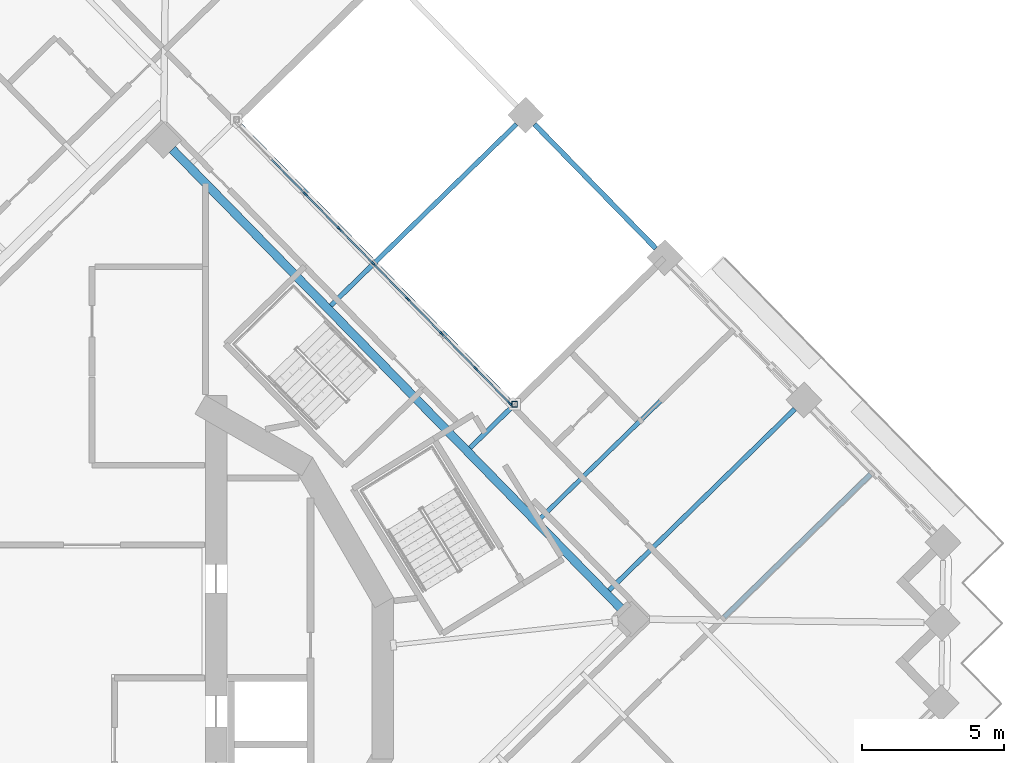
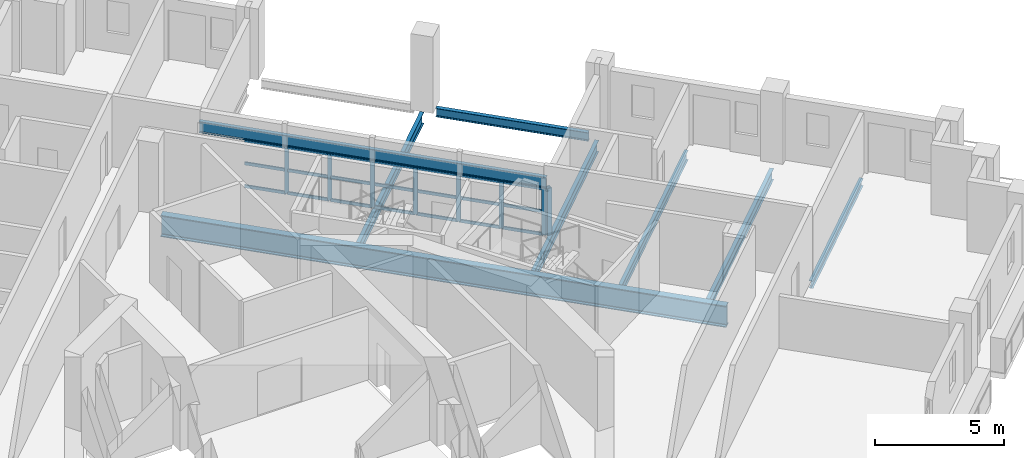
# One storey, part 3 of 20: 29 members, 8 beams, 1 element without a shape of its own.
"""IFC4 building model written with IfcOpenShell, lengths in metres."""

from ifc_helpers import new_model, si_unit, direction, frame, origin, origin_2d, place, context, subcontext, project, spatial, rectangle, hollow_rectangle, i_section, extrude, material, material_profile, profile_set, type_object, element, aggregate, save


model = new_model("IFC4")

# Units and contexts
model_context = context("Model", 3, precision=1e-05, world=origin(), true_north=direction((0.0, 1.0)))
body_context = subcontext(model_context, "Body", "Model", "MODEL_VIEW")
ifc_project = project(units=[si_unit("LENGTHUNIT", "METRE"), si_unit("AREAUNIT", "SQUARE_METRE"), si_unit("VOLUMEUNIT", "CUBIC_METRE"), si_unit("PLANEANGLEUNIT", "RADIAN"), si_unit("MASSUNIT", "GRAM", prefix="KILO")], contexts=[model_context])

# Site, building, storey
site_placement = place(None, origin())
site = spatial("IfcSite", under=ifc_project, at=site_placement, CompositionType="ELEMENT")
building_placement = place(site_placement, origin())
building = spatial("IfcBuilding", under=site, at=building_placement, Name="Cantera Rosa Tower", CompositionType="ELEMENT")
storey_placement = place(building_placement, frame((0.0, 0.0, 212.60009765625)))
storey = spatial("IfcBuildingStorey", under=building, at=storey_placement, Name="L45", CompositionType="ELEMENT", Elevation=212.60009765625)

# Curtain wall, members
ifc_material_1 = material(Name="Aluminium frame with clear glass", Category="aluminium")
curtain_wall_type = type_object("IfcCurtainWallType", Name="CW1 TERRACE POCKET GLAZING", PredefinedType="NOTDEFINED", material=ifc_material_1)
curtain_wall_placement = place(storey_placement, origin())
curtain_wall = element("IfcCurtainWall", 1, at=curtain_wall_placement, inside=storey, type_object=curtain_wall_type, Name="CW1 CW1", PredefinedType="NOTDEFINED")
ifc_material_2 = material(Name="Anodised bronze aluminium", Category="aluminium")
ifc_material_profile_1 = material_profile(ifc_material_2, rectangle(XDim=0.06005859375, YDim=0.179931640625, at=origin_2d()), Name="CW-MULLION 60x180 POCKET")
ifc_profile_set_1 = profile_set([ifc_material_profile_1], Name="Anodised bronze aluminium")
member_type_1 = type_object("IfcMemberType", Name="CW-MULLION 60x180 POCKET", PredefinedType="MULLION", material=ifc_profile_set_1)
member_1_placement = place(storey_placement, frame((14.718994140625, 9.68994140625, 0.0), z_axis=(0.0, 0.0, 1.0), x_axis=(-0.715286291058, -0.698831540376, 0.0)))
member_1 = element("IfcMember", 2, at=member_1_placement, type_object=member_type_1, Name="CW1 mullion 1", PredefinedType="MULLION", context=body_context, shape_type="SweptSolid", body=[
    extrude(rectangle(XDim=0.06005859375, YDim=0.179931640625, at=origin_2d()), origin(), (0.0, 0.0, 1.0), 2.2119140625),
])
member_2_placement = place(storey_placement, frame((13.535400390625, 10.901611328125, 0.0), z_axis=(0.0, 0.0, 1.0), x_axis=(-0.715286291058, -0.698831540376, 0.0)))
member_2 = element("IfcMember", 3, at=member_2_placement, type_object=member_type_1, Name="CW1 mullion 2", PredefinedType="MULLION", context=body_context, shape_type="SweptSolid", body=[
    extrude(rectangle(XDim=0.06005859375, YDim=0.179931640625, at=origin_2d()), origin(), (0.0, 0.0, 1.0), 2.2119140625),
])
member_3_placement = place(storey_placement, frame((12.330810546875, 12.134521484375, 0.0), z_axis=(0.0, 0.0, 1.0), x_axis=(-0.715286291058, -0.698831540376, 0.0)))
member_3 = element("IfcMember", 4, at=member_3_placement, type_object=member_type_1, Name="CW1 mullion 3", PredefinedType="MULLION", context=body_context, shape_type="SweptSolid", body=[
    extrude(rectangle(XDim=0.06005859375, YDim=0.179931640625, at=origin_2d()), origin(), (0.0, 0.0, 1.0), 2.2119140625),
])
member_4_placement = place(storey_placement, frame((11.126220703125, 13.367431640625, 0.0), z_axis=(0.0, 0.0, 1.0), x_axis=(-0.715286291058, -0.698831540376, 0.0)))
member_4 = element("IfcMember", 5, at=member_4_placement, type_object=member_type_1, Name="CW1 mullion 4", PredefinedType="MULLION", context=body_context, shape_type="SweptSolid", body=[
    extrude(rectangle(XDim=0.06005859375, YDim=0.179931640625, at=origin_2d()), origin(), (0.0, 0.0, 1.0), 2.2119140625),
])
member_5_placement = place(storey_placement, frame((9.921630859375, 14.600341796875, 0.0), z_axis=(0.0, 0.0, 1.0), x_axis=(-0.715286291058, -0.698831540376, 0.0)))
member_5 = element("IfcMember", 6, at=member_5_placement, type_object=member_type_1, Name="CW1 mullion 5", PredefinedType="MULLION", context=body_context, shape_type="SweptSolid", body=[
    extrude(rectangle(XDim=0.06005859375, YDim=0.179931640625, at=origin_2d()), origin(), (0.0, 0.0, 1.0), 2.2119140625),
])
member_6_placement = place(storey_placement, frame((8.717041015625, 15.83349609375, 0.0), z_axis=(0.0, 0.0, 1.0), x_axis=(-0.715286291058, -0.698831540376, 0.0)))
member_6 = element("IfcMember", 7, at=member_6_placement, type_object=member_type_1, Name="CW1 mullion 6", PredefinedType="MULLION", context=body_context, shape_type="SweptSolid", body=[
    extrude(rectangle(XDim=0.06005859375, YDim=0.179931640625, at=origin_2d()), origin(), (0.0, 0.0, 1.0), 2.2119140625),
])
member_7_placement = place(storey_placement, frame((7.512451171875, 17.06640625, 0.0), z_axis=(0.0, 0.0, 1.0), x_axis=(-0.715286291058, -0.698831540376, 0.0)))
member_7 = element("IfcMember", 8, at=member_7_placement, type_object=member_type_1, Name="CW1 mullion 7", PredefinedType="MULLION", context=body_context, shape_type="SweptSolid", body=[
    extrude(rectangle(XDim=0.06005859375, YDim=0.179931640625, at=origin_2d()), origin(), (0.0, 0.0, 1.0), 2.2119140625),
])
ifc_material_3 = material(Name="Anodised bronze aluminium", Category="aluminium")
ifc_material_profile_2 = material_profile(ifc_material_3, rectangle(XDim=0.06005859375, YDim=0.139892578125, at=origin_2d()), Name="CW-TRANSOM 60x140 POCKET")
ifc_profile_set_2 = profile_set([ifc_material_profile_2], Name="Anodised bronze aluminium")
member_type_2 = type_object("IfcMemberType", Name="CW-TRANSOM 60x140 POCKET", PredefinedType="USERDEFINED", material=ifc_profile_set_2)
member_8_placement = place(storey_placement, frame((14.697998046875, 9.71142578125, 0.02978515625), z_axis=(-0.698764422619, 0.715351858656, 0.0), x_axis=(-0.715351858656, -0.698764422619, 0.0)))
member_8 = element("IfcMember", 9, at=member_8_placement, type_object=member_type_2, Name="CW1 transom 1.1", ObjectType="TRANSOM", PredefinedType="USERDEFINED", context=body_context, shape_type="SweptSolid", body=[
    extrude(rectangle(XDim=0.06005859375, YDim=0.139892578125, at=origin_2d()), origin(), (0.0, 0.0, 1.0), 1.6337890625),
])
member_9_placement = place(storey_placement, frame((14.697998046875, 9.71142578125, 1.10595703125), z_axis=(-0.698764422619, 0.715351858656, 0.0), x_axis=(-0.715351858656, -0.698764422619, 0.0)))
member_9 = element("IfcMember", 10, at=member_9_placement, type_object=member_type_2, Name="CW1 transom 1.2", ObjectType="TRANSOM", PredefinedType="USERDEFINED", context=body_context, shape_type="SweptSolid", body=[
    extrude(rectangle(XDim=0.06005859375, YDim=0.139892578125, at=origin_2d()), origin(), (0.0, 0.0, 1.0), 1.6337890625),
])
member_10_placement = place(storey_placement, frame((14.697998046875, 9.71142578125, 2.181884765625), z_axis=(-0.698764422619, 0.715351858656, 0.0), x_axis=(-0.715351858656, -0.698764422619, 0.0)))
member_10 = element("IfcMember", 11, at=member_10_placement, type_object=member_type_2, Name="CW1 transom 1.3", ObjectType="TRANSOM", PredefinedType="USERDEFINED", context=body_context, shape_type="SweptSolid", body=[
    extrude(rectangle(XDim=0.06005859375, YDim=0.139892578125, at=origin_2d()), origin(), (0.0, 0.0, 1.0), 1.6337890625),
])
member_11_placement = place(storey_placement, frame((13.514404296875, 10.923095703125, 0.02978515625), z_axis=(-0.698840818716, 0.715277226044, 0.0), x_axis=(-0.715277226044, -0.698840818716, 0.0)))
member_11 = element("IfcMember", 12, at=member_11_placement, type_object=member_type_2, Name="CW1 transom 2.1", ObjectType="TRANSOM", PredefinedType="USERDEFINED", context=body_context, shape_type="SweptSolid", body=[
    extrude(rectangle(XDim=0.06005859375, YDim=0.139892578125, at=origin_2d()), origin(), (0.0, 0.0, 1.0), 1.66357421875),
])
member_12_placement = place(storey_placement, frame((13.514404296875, 10.923095703125, 1.10595703125), z_axis=(-0.698840818716, 0.715277226044, 0.0), x_axis=(-0.715277226044, -0.698840818716, 0.0)))
member_12 = element("IfcMember", 13, at=member_12_placement, type_object=member_type_2, Name="CW1 transom 2.2", ObjectType="TRANSOM", PredefinedType="USERDEFINED", context=body_context, shape_type="SweptSolid", body=[
    extrude(rectangle(XDim=0.06005859375, YDim=0.139892578125, at=origin_2d()), origin(), (0.0, 0.0, 1.0), 1.66357421875),
])
member_13_placement = place(storey_placement, frame((13.514404296875, 10.923095703125, 2.181884765625), z_axis=(-0.698840818716, 0.715277226044, 0.0), x_axis=(-0.715277226044, -0.698840818716, 0.0)))
member_13 = element("IfcMember", 14, at=member_13_placement, type_object=member_type_2, Name="CW1 transom 2.3", ObjectType="TRANSOM", PredefinedType="USERDEFINED", context=body_context, shape_type="SweptSolid", body=[
    extrude(rectangle(XDim=0.06005859375, YDim=0.139892578125, at=origin_2d()), origin(), (0.0, 0.0, 1.0), 1.66357421875),
])
member_14_placement = place(storey_placement, frame((12.309814453125, 12.156005859375, 0.02978515625), z_axis=(-0.698840818716, 0.715277226044, 0.0), x_axis=(-0.715277226044, -0.698840818716, 0.0)))
member_14 = element("IfcMember", 15, at=member_14_placement, type_object=member_type_2, Name="CW1 transom 3.1", ObjectType="TRANSOM", PredefinedType="USERDEFINED", context=body_context, shape_type="SweptSolid", body=[
    extrude(rectangle(XDim=0.06005859375, YDim=0.139892578125, at=origin_2d()), origin(), (0.0, 0.0, 1.0), 1.66357421875),
])
member_15_placement = place(storey_placement, frame((12.309814453125, 12.156005859375, 1.10595703125), z_axis=(-0.698840818716, 0.715277226044, 0.0), x_axis=(-0.715277226044, -0.698840818716, 0.0)))
member_15 = element("IfcMember", 16, at=member_15_placement, type_object=member_type_2, Name="CW1 transom 3.2", ObjectType="TRANSOM", PredefinedType="USERDEFINED", context=body_context, shape_type="SweptSolid", body=[
    extrude(rectangle(XDim=0.06005859375, YDim=0.139892578125, at=origin_2d()), origin(), (0.0, 0.0, 1.0), 1.66357421875),
])
member_16_placement = place(storey_placement, frame((12.309814453125, 12.156005859375, 2.181884765625), z_axis=(-0.698840818716, 0.715277226044, 0.0), x_axis=(-0.715277226044, -0.698840818716, 0.0)))
member_16 = element("IfcMember", 17, at=member_16_placement, type_object=member_type_2, Name="CW1 transom 3.3", ObjectType="TRANSOM", PredefinedType="USERDEFINED", context=body_context, shape_type="SweptSolid", body=[
    extrude(rectangle(XDim=0.06005859375, YDim=0.139892578125, at=origin_2d()), origin(), (0.0, 0.0, 1.0), 1.66357421875),
])
member_17_placement = place(storey_placement, frame((11.105224609375, 13.388916015625, 0.02978515625), z_axis=(-0.698767465746, 0.71534888608, 0.0), x_axis=(-0.71534888608, -0.698767465746, 0.0)))
member_17 = element("IfcMember", 18, at=member_17_placement, type_object=member_type_2, Name="CW1 transom 4.1", ObjectType="TRANSOM", PredefinedType="USERDEFINED", context=body_context, shape_type="SweptSolid", body=[
    extrude(rectangle(XDim=0.06005859375, YDim=0.139892578125, at=origin_2d()), origin(), (0.0, 0.0, 1.0), 1.663818359375),
])
member_18_placement = place(storey_placement, frame((11.105224609375, 13.388916015625, 1.10595703125), z_axis=(-0.698767465746, 0.71534888608, 0.0), x_axis=(-0.71534888608, -0.698767465746, 0.0)))
member_18 = element("IfcMember", 19, at=member_18_placement, type_object=member_type_2, Name="CW1 transom 4.2", ObjectType="TRANSOM", PredefinedType="USERDEFINED", context=body_context, shape_type="SweptSolid", body=[
    extrude(rectangle(XDim=0.06005859375, YDim=0.139892578125, at=origin_2d()), origin(), (0.0, 0.0, 1.0), 1.663818359375),
])
member_19_placement = place(storey_placement, frame((11.105224609375, 13.388916015625, 2.181884765625), z_axis=(-0.698767465746, 0.71534888608, 0.0), x_axis=(-0.71534888608, -0.698767465746, 0.0)))
member_19 = element("IfcMember", 20, at=member_19_placement, type_object=member_type_2, Name="CW1 transom 4.3", ObjectType="TRANSOM", PredefinedType="USERDEFINED", context=body_context, shape_type="SweptSolid", body=[
    extrude(rectangle(XDim=0.06005859375, YDim=0.139892578125, at=origin_2d()), origin(), (0.0, 0.0, 1.0), 1.663818359375),
])
member_20_placement = place(storey_placement, frame((9.900634765625, 14.621826171875, 0.02978515625), z_axis=(-0.698842543678, 0.715275540716, 0.0), x_axis=(-0.715275540716, -0.698842543678, 0.0)))
member_20 = element("IfcMember", 21, at=member_20_placement, type_object=member_type_2, Name="CW1 transom 5.1", ObjectType="TRANSOM", PredefinedType="USERDEFINED", context=body_context, shape_type="SweptSolid", body=[
    extrude(rectangle(XDim=0.06005859375, YDim=0.139892578125, at=origin_2d()), origin(), (0.0, 0.0, 1.0), 1.6640625),
])
member_21_placement = place(storey_placement, frame((9.900634765625, 14.621826171875, 1.10595703125), z_axis=(-0.698842543678, 0.715275540716, 0.0), x_axis=(-0.715275540716, -0.698842543678, 0.0)))
member_21 = element("IfcMember", 22, at=member_21_placement, type_object=member_type_2, Name="CW1 transom 5.2", ObjectType="TRANSOM", PredefinedType="USERDEFINED", context=body_context, shape_type="SweptSolid", body=[
    extrude(rectangle(XDim=0.06005859375, YDim=0.139892578125, at=origin_2d()), origin(), (0.0, 0.0, 1.0), 1.6640625),
])
member_22_placement = place(storey_placement, frame((9.900634765625, 14.621826171875, 2.181884765625), z_axis=(-0.698842543678, 0.715275540716, 0.0), x_axis=(-0.715275540716, -0.698842543678, 0.0)))
member_22 = element("IfcMember", 23, at=member_22_placement, type_object=member_type_2, Name="CW1 transom 5.3", ObjectType="TRANSOM", PredefinedType="USERDEFINED", context=body_context, shape_type="SweptSolid", body=[
    extrude(rectangle(XDim=0.06005859375, YDim=0.139892578125, at=origin_2d()), origin(), (0.0, 0.0, 1.0), 1.6640625),
])
member_23_placement = place(storey_placement, frame((8.696044921875, 15.85498046875, 0.02978515625), z_axis=(-0.698915889484, 0.715203872632, 0.0), x_axis=(-0.715203872632, -0.698915889484, 0.0)))
member_23 = element("IfcMember", 24, at=member_23_placement, type_object=member_type_2, Name="CW1 transom 6.1", ObjectType="TRANSOM", PredefinedType="USERDEFINED", context=body_context, shape_type="SweptSolid", body=[
    extrude(rectangle(XDim=0.06005859375, YDim=0.139892578125, at=origin_2d()), origin(), (0.0, 0.0, 1.0), 1.663818359375),
])
member_24_placement = place(storey_placement, frame((8.696044921875, 15.85498046875, 1.10595703125), z_axis=(-0.698915889484, 0.715203872632, 0.0), x_axis=(-0.715203872632, -0.698915889484, 0.0)))
member_24 = element("IfcMember", 25, at=member_24_placement, type_object=member_type_2, Name="CW1 transom 6.2", ObjectType="TRANSOM", PredefinedType="USERDEFINED", context=body_context, shape_type="SweptSolid", body=[
    extrude(rectangle(XDim=0.06005859375, YDim=0.139892578125, at=origin_2d()), origin(), (0.0, 0.0, 1.0), 1.663818359375),
])
member_25_placement = place(storey_placement, frame((8.696044921875, 15.85498046875, 2.181884765625), z_axis=(-0.698915889484, 0.715203872632, 0.0), x_axis=(-0.715203872632, -0.698915889484, 0.0)))
member_25 = element("IfcMember", 26, at=member_25_placement, type_object=member_type_2, Name="CW1 transom 6.3", ObjectType="TRANSOM", PredefinedType="USERDEFINED", context=body_context, shape_type="SweptSolid", body=[
    extrude(rectangle(XDim=0.06005859375, YDim=0.139892578125, at=origin_2d()), origin(), (0.0, 0.0, 1.0), 1.663818359375),
])
member_26_placement = place(storey_placement, frame((7.491455078125, 17.087890625, 0.02978515625), z_axis=(-0.698915889484, 0.715203872632, 0.0), x_axis=(-0.715203872632, -0.698915889484, 0.0)))
member_26 = element("IfcMember", 27, at=member_26_placement, type_object=member_type_2, Name="CW1 transom 7.1", ObjectType="TRANSOM", PredefinedType="USERDEFINED", context=body_context, shape_type="SweptSolid", body=[
    extrude(rectangle(XDim=0.06005859375, YDim=0.139892578125, at=origin_2d()), origin(), (0.0, 0.0, 1.0), 1.663818359375),
])
member_27_placement = place(storey_placement, frame((7.491455078125, 17.087890625, 1.10595703125), z_axis=(-0.698915889484, 0.715203872632, 0.0), x_axis=(-0.715203872632, -0.698915889484, 0.0)))
member_27 = element("IfcMember", 28, at=member_27_placement, type_object=member_type_2, Name="CW1 transom 7.2", ObjectType="TRANSOM", PredefinedType="USERDEFINED", context=body_context, shape_type="SweptSolid", body=[
    extrude(rectangle(XDim=0.06005859375, YDim=0.139892578125, at=origin_2d()), origin(), (0.0, 0.0, 1.0), 1.663818359375),
])
member_28_placement = place(storey_placement, frame((7.491455078125, 17.087890625, 2.181884765625), z_axis=(-0.698915889484, 0.715203872632, 0.0), x_axis=(-0.715203872632, -0.698915889484, 0.0)))
member_28 = element("IfcMember", 29, at=member_28_placement, type_object=member_type_2, Name="CW1 transom 7.3", ObjectType="TRANSOM", PredefinedType="USERDEFINED", context=body_context, shape_type="SweptSolid", body=[
    extrude(rectangle(XDim=0.06005859375, YDim=0.139892578125, at=origin_2d()), origin(), (0.0, 0.0, 1.0), 1.663818359375),
])
aggregate(curtain_wall, [member_1, member_2, member_3, member_4, member_5, member_6, member_7, member_8, member_9, member_10, member_11, member_12, member_13, member_14, member_15, member_16, member_17, member_18, member_19, member_20, member_21, member_22, member_23, member_24, member_25, member_26, member_27, member_28])

# Member
ifc_material_4 = material(Name="Steel ASTM A992 (Fy 345 MPa)", Category="steel")
ifc_material_profile_3 = material_profile(ifc_material_4, hollow_rectangle(XDim=0.199951171875, YDim=0.199951171875, WallThickness=0.010009765625, at=origin_2d()), Name="LINTEL POST RHS 200x200x10")
ifc_profile_set_3 = profile_set([ifc_material_profile_3], Name="Steel ASTM A992 (Fy 345 MPa)")
member_type_3 = type_object("IfcMemberType", Name="LINTEL POST RHS 200x200x10", PredefinedType="USERDEFINED", material=ifc_profile_set_3)
member_29_placement = place(storey_placement, frame((14.89892578125, 9.64892578125, 0.0), z_axis=(0.0, 0.0, 1.0), x_axis=(1.0, 0.0, 0.0)))
element("IfcMember", 30, at=member_29_placement, inside=storey, type_object=member_type_3, Name="LINTEL POST L45-1", ObjectType="LINTEL POST", PredefinedType="USERDEFINED", context=body_context, shape_type="SweptSolid", body=[
    extrude(hollow_rectangle(XDim=0.199951171875, YDim=0.199951171875, WallThickness=0.010009765625, at=origin_2d()), origin(), (0.0, 0.0, 1.0), 2.2138671875),
])

# Beams
ifc_material_5 = material(Name="Steel ASTM A992 (Fy 345 MPa)", Category="steel")
ifc_material_profile_4 = material_profile(ifc_material_5, i_section(OverallWidth=0.302001953125, OverallDepth=1.010009765625, WebThickness=0.02099609375, FlangeThickness=0.0400390625, FilletRadius=0.030029296875, at=origin_2d()), Name="W1000X350")
ifc_profile_set_4 = profile_set([ifc_material_profile_4], Name="Steel ASTM A992 (Fy 345 MPa)")
beam_type_1 = type_object("IfcBeamType", Name="STEEL BEAM W1000X350", PredefinedType="BEAM", material=ifc_profile_set_4)
beam_1_placement = place(storey_placement, frame((18.69677734375, 2.39892578125, -0.755126953125), z_axis=(-0.698831294804, 0.715286530981, 0.0), x_axis=(-0.715286530981, -0.698831294804, 0.0)))
element("IfcBeam", 31, at=beam_1_placement, inside=storey, type_object=beam_type_1, Name="RB-Z4-05 L45", PredefinedType="BEAM", context=body_context, shape_type="SweptSolid", body=[
    extrude(i_section(OverallWidth=0.302001953125, OverallDepth=1.010009765625, WebThickness=0.02099609375, FlangeThickness=0.0400390625, FilletRadius=0.030029296875, at=origin_2d()), origin(), (0.0, 0.0, 1.0), 22.7001953125),
])
ifc_material_6 = material(Name="Steel ASTM A992 (Fy 345 MPa)", Category="steel")
ifc_material_profile_5 = material_profile(ifc_material_6, i_section(OverallWidth=0.166015625, OverallDepth=0.528076171875, WebThickness=0.009765625, FlangeThickness=0.013671875, FilletRadius=0.0126953125, at=origin_2d()), Name="W530X74")
ifc_profile_set_5 = profile_set([ifc_material_profile_5], Name="Steel ASTM A992 (Fy 345 MPa)")
beam_type_2 = type_object("IfcBeamType", Name="STEEL BEAM W530X74", PredefinedType="BEAM", material=ifc_profile_set_5)
for number, where, z_axis, x_axis, name in (
    (32, (24.77587890625, 9.484619140625, -0.51416015625), (-0.71529025682, -0.698827481213, 0.0), (0.698827481213, -0.71529025682, 0.0), "G-Z4-01 L45"),
    (33, (19.8701171875, 14.505859375, -0.51416015625), (-0.71529025682, -0.698827481213, 0.0), (0.698827481213, -0.71529025682, 0.0), "G-Z4-02 L45"),
    (34, (14.96435546875, 19.527099609375, -0.51416015625), (-0.71529025682, -0.698827481213, 0.0), (0.698827481213, -0.71529025682, 0.0), "G-Z4-03 L45"),
):
    element("IfcBeam", number, at=place(storey_placement, frame(where, z_axis=z_axis, x_axis=x_axis)), inside=storey, type_object=beam_type_2, Name=name, PredefinedType="BEAM", context=body_context, shape_type="SweptSolid", body=[
        extrude(i_section(OverallWidth=0.166015625, OverallDepth=0.528076171875, WebThickness=0.009765625, FlangeThickness=0.013671875, FilletRadius=0.0126953125, at=origin_2d()), origin(), (0.0, 0.0, 1.0), 9.14990234375),
    ])
beam_2_placement = place(storey_placement, frame((14.828125, 9.64990234375, 2.477783203125), z_axis=(-0.698836233689, 0.715281705682, 0.0), x_axis=(-0.715281705682, -0.698836233689, 0.0)))
element("IfcBeam", 35, at=beam_2_placement, inside=storey, type_object=beam_type_2, Name="LINTEL SL-L45", PredefinedType="BEAM", context=body_context, shape_type="SweptSolid", body=[
    extrude(i_section(OverallWidth=0.166015625, OverallDepth=0.528076171875, WebThickness=0.009765625, FlangeThickness=0.013671875, FilletRadius=0.0126953125, at=origin_2d()), origin(), (0.0, 0.0, 1.0), 13.93994140625),
])
ifc_material_7 = material(Name="Steel ASTM A992 (Fy 345 MPa)", Category="steel")
ifc_material_profile_6 = material_profile(ifc_material_7, i_section(OverallWidth=0.1708984375, OverallDepth=0.35595703125, WebThickness=0.00732421875, FlangeThickness=0.01171875, FilletRadius=0.010009765625, at=origin_2d()), Name="W360X51")
ifc_profile_set_6 = profile_set([ifc_material_profile_6], Name="Steel ASTM A992 (Fy 345 MPa)")
beam_type_3 = type_object("IfcBeamType", Name="STEEL JOIST W360X51", PredefinedType="JOIST", material=ifc_profile_set_6)
beam_3_placement = place(storey_placement, frame((27.443359375, 7.18359375, -0.427978515625), z_axis=(-0.715287213552, -0.69883059616, 0.0), x_axis=(0.69883059616, -0.715287213552, 0.0)))
element("IfcBeam", 36, at=beam_3_placement, inside=storey, type_object=beam_type_3, Name="B-Z4-01 L45", PredefinedType="JOIST", context=body_context, shape_type="SweptSolid", body=[
    extrude(i_section(OverallWidth=0.1708984375, OverallDepth=0.35595703125, WebThickness=0.00732421875, FlangeThickness=0.01171875, FilletRadius=0.010009765625, at=origin_2d()), origin(), (0.0, 0.0, 1.0), 7.2099609375),
])
ifc_material_8 = material(Name="Steel ASTM A992 (Fy 345 MPa)", Category="steel")
ifc_material_profile_7 = material_profile(ifc_material_8, i_section(OverallWidth=0.154052734375, OverallDepth=0.4599609375, WebThickness=0.009033203125, FlangeThickness=0.015380859375, FilletRadius=0.01025390625, at=origin_2d()), Name="W460X68")
ifc_profile_set_7 = profile_set([ifc_material_profile_7], Name="Steel ASTM A992 (Fy 345 MPa)")
beam_type_4 = type_object("IfcBeamType", Name="STEEL JOIST W460X68", PredefinedType="JOIST", material=ifc_profile_set_7)
beam_4_placement = place(storey_placement, frame((22.53759765625, 12.204833984375, -0.47998046875), z_axis=(-0.715287278354, -0.698830529832, 0.0), x_axis=(0.698830529832, -0.715287278354, 0.0)))
element("IfcBeam", 37, at=beam_4_placement, inside=storey, type_object=beam_type_4, Name="B-Z4-02 L45", PredefinedType="JOIST", context=body_context, shape_type="SweptSolid", body=[
    extrude(i_section(OverallWidth=0.154052734375, OverallDepth=0.4599609375, WebThickness=0.009033203125, FlangeThickness=0.015380859375, FilletRadius=0.01025390625, at=origin_2d()), origin(), (0.0, 0.0, 1.0), 9.4501953125),
])
ifc_material_9 = material(Name="Steel ASTM A992 (Fy 345 MPa)", Category="steel")
ifc_material_profile_8 = material_profile(ifc_material_9, i_section(OverallWidth=0.177978515625, OverallDepth=0.406005859375, WebThickness=0.0078125, FlangeThickness=0.0126953125, FilletRadius=0.01025390625, at=origin_2d()), Name="W410X60")
ifc_profile_set_8 = profile_set([ifc_material_profile_8], Name="Steel ASTM A992 (Fy 345 MPa)")
beam_type_5 = type_object("IfcBeamType", Name="STEEL SPANDREL BEAM W410X60", PredefinedType="SPANDREL", material=ifc_profile_set_8)
beam_5_placement = place(storey_placement, frame((19.87744140625, 15.142333984375, -0.453125), z_axis=(-0.698841120217, 0.71527693147, 0.0), x_axis=(-0.71527693147, -0.698841120217, 0.0)))
element("IfcBeam", 38, at=beam_5_placement, inside=storey, type_object=beam_type_5, Name="EB-Z4-03 L45", PredefinedType="SPANDREL", context=body_context, shape_type="SweptSolid", body=[
    extrude(i_section(OverallWidth=0.177978515625, OverallDepth=0.406005859375, WebThickness=0.0078125, FlangeThickness=0.0126953125, FilletRadius=0.01025390625, at=origin_2d()), origin(), (0.0, 0.0, 1.0), 6.119873046875),
])

save(model, "model.ifc")
